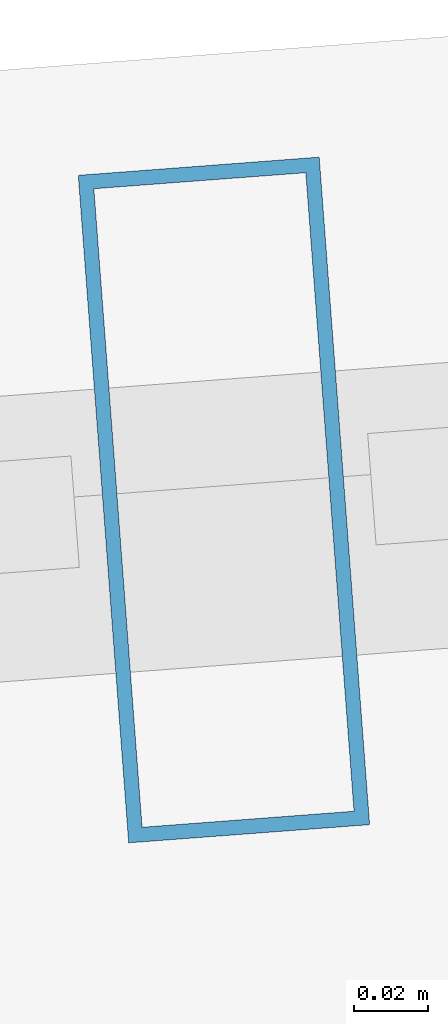
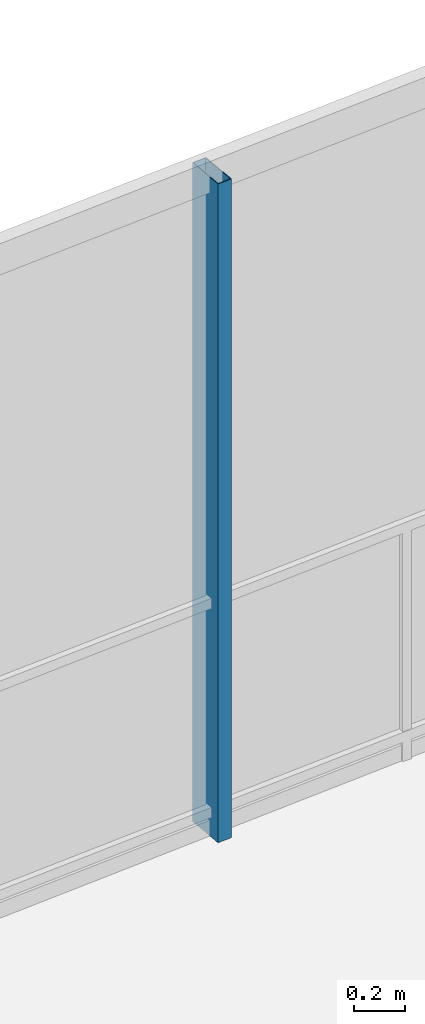
# One storey, part 21 of 30: 1 member, 1 element without a shape of its own.
"""IFC4 building model written with IfcOpenShell, lengths in metres."""

import ifcopenshell
import ifcopenshell.guid

model = None  # the IFC model being written
_history = None  # IfcOwnerHistory: only IFC2X3 demands one
_inside = {}  # id of a spatial element -> (the spatial element, [elements in it])
_under = {}  # id of a project, library or spatial element -> (it, [spatial elements below it])
_declared = {}  # id of a project -> (the project, [libraries it declares])
_typed = {}  # id of a type object -> (the type object, [elements of that type])
_made_of = {}  # id of a material, layer set ... -> (it, [elements and type objects made of it])


def new_model(schema):
    """Start an empty IFC model of exactly this schema.

    Asked for "IFC4X3", IfcOpenShell would pick the latest addendum, in which some entities
    have other attributes; the version numbers below select the first issue.
    IFC2X3 requires an IfcOwnerHistory on every rooted entity: one is made here for all.
    """
    global model, _history
    if schema == "IFC4X3":
        model = ifcopenshell.file(schema_version=(4, 3, 0, 0))
    else:
        model = ifcopenshell.file(schema=schema)
    _inside.clear()
    _under.clear()
    _declared.clear()
    _typed.clear()
    _made_of.clear()
    _history = None
    if model.schema == "IFC2X3":
        org = make("IfcOrganization", Name="unknown")
        user = make(
            "IfcPersonAndOrganization",
            ThePerson=make("IfcPerson", FamilyName="unknown"),
            TheOrganization=org,
        )
        app = make(
            "IfcApplication",
            ApplicationDeveloper=org,
            Version="unknown",
            ApplicationFullName="unknown",
            ApplicationIdentifier="unknown",
        )
        _history = make(
            "IfcOwnerHistory",
            OwningUser=user,
            OwningApplication=app,
            ChangeAction="ADDED",
            CreationDate=0,
        )
    return model


def make(cls, **values):
    """One entity of the class cls with the attributes given. An attribute that is None is left unset."""
    return model.create_entity(
        cls, **{name: value for name, value in values.items() if value is not None}
    )


def rooted(cls, **values):
    """An entity with a GlobalId (a new one), such as an element, a storey or a relation."""
    return make(cls, GlobalId=ifcopenshell.guid.new(), OwnerHistory=_history, **values)


def si_unit(unit_type, name, prefix=None):
    """IfcSIUnit, for example si_unit("LENGTHUNIT", "METRE", prefix="MILLI")."""
    return make("IfcSIUnit", UnitType=unit_type, Prefix=prefix, Name=name)


def assignment(units):
    """IfcUnitAssignment: the units of a project."""
    return None if units is None else make("IfcUnitAssignment", Units=units)


def point(xyz):
    """IfcCartesianPoint."""
    return None if xyz is None else make("IfcCartesianPoint", Coordinates=xyz)


def direction(xyz):
    """IfcDirection."""
    return None if xyz is None else make("IfcDirection", DirectionRatios=xyz)


def frame(location, z_axis=None, x_axis=None):
    """IfcAxis2Placement3D, a coordinate frame: its origin and axes. An axis left out is left unset."""
    return make(
        "IfcAxis2Placement3D",
        Location=point(location),
        Axis=direction(z_axis),
        RefDirection=direction(x_axis),
    )


def frame_2d(location, x_axis=None):
    """IfcAxis2Placement2D, a coordinate frame in the plane: its origin and x axis."""
    return make(
        "IfcAxis2Placement2D", Location=point(location), RefDirection=direction(x_axis)
    )


def origin():
    """The frame at (0, 0, 0) with its axes left unset."""
    return frame((0.0, 0.0, 0.0))


def origin_2d():
    """The frame at (0, 0) in the plane with its x axis left unset."""
    return frame_2d((0.0, 0.0))


def place(relative_to, where):
    """IfcLocalPlacement: puts the frame where relative to a parent placement (None: the world)."""
    return make(
        "IfcLocalPlacement", PlacementRelTo=relative_to, RelativePlacement=where
    )


def context(
    kind, dimensions, precision=None, world=None, true_north=None, identifier=None
):
    """IfcGeometricRepresentationContext, for example the 3D "Model" context."""
    return make(
        "IfcGeometricRepresentationContext",
        ContextIdentifier=identifier,
        ContextType=kind,
        CoordinateSpaceDimension=dimensions,
        Precision=precision,
        WorldCoordinateSystem=world,
        TrueNorth=true_north,
    )


def subcontext(parent, identifier, kind, view, scale=None):
    """IfcGeometricRepresentationSubContext, for example "Body" below "Model"."""
    return make(
        "IfcGeometricRepresentationSubContext",
        ContextIdentifier=identifier,
        ContextType=kind,
        ParentContext=parent,
        TargetScale=scale,
        TargetView=view,
    )


def project(units=None, contexts=None):
    """IfcProject with its units and contexts."""
    return rooted(
        "IfcProject",
        Name="project",
        RepresentationContexts=contexts,
        UnitsInContext=assignment(units),
    )


def spatial(cls, under=None, at=None, **own):
    """A site, building, storey or space (cls), placed at a placement, below another one or the project."""
    s = rooted(cls, ObjectPlacement=at, **own)
    if under is not None:
        _under.setdefault(under.id(), (under, []))[1].append(s)
    return s


def profile(cls, at=None, kind="AREA", **sizes):
    """A parametric profile (cls). Its sizes go by their IFC names, for example OverallWidth=200.0."""
    return make(cls, ProfileType=kind, Position=at, **sizes)


def hollow_rectangle(**sizes):
    """IfcRectangleHollowProfileDef."""
    return profile("IfcRectangleHollowProfileDef", **sizes)


def extrude(swept, where, along, depth):
    """IfcExtrudedAreaSolid: the profile swept, set in the frame where, extruded along a direction by depth."""
    return make(
        "IfcExtrudedAreaSolid",
        SweptArea=swept,
        Position=where,
        ExtrudedDirection=direction(along),
        Depth=depth,
    )


def shape(context_of_items, identifier, shape_type, items):
    """IfcShapeRepresentation: the items that make up one representation, for example the "Body"."""
    return make(
        "IfcShapeRepresentation",
        ContextOfItems=context_of_items,
        RepresentationIdentifier=identifier,
        RepresentationType=shape_type,
        Items=items,
    )


def material(Name=None, Category=None):
    """IfcMaterial."""
    return make("IfcMaterial", Name=Name, Category=Category)


def layer(
    of_material, thickness, ventilated=None, Name=None, Category=None, Priority=None
):
    """IfcMaterialLayer: one layer of a wall or slab, of a material (None: an air gap)."""
    return make(
        "IfcMaterialLayer",
        Material=of_material,
        LayerThickness=thickness,
        IsVentilated=ventilated,
        Name=Name,
        Category=Category,
        Priority=Priority,
    )


def layer_set(layers, Name=None):
    """IfcMaterialLayerSet."""
    return make("IfcMaterialLayerSet", MaterialLayers=layers, LayerSetName=Name)


def material_profile(
    of_material, cross_section, Name=None, Category=None, Priority=None
):
    """IfcMaterialProfile: a cross section and its material."""
    return make(
        "IfcMaterialProfile",
        Name=Name,
        Material=of_material,
        Profile=cross_section,
        Priority=Priority,
        Category=Category,
    )


def profile_set(profiles, Name=None, composite=None):
    """IfcMaterialProfileSet."""
    return make(
        "IfcMaterialProfileSet",
        Name=Name,
        MaterialProfiles=profiles,
        CompositeProfile=composite,
    )


def made_of(thing, what):
    """Note that an element or type object is made of a material, layer set ...; save() writes the relation."""
    if what is not None:
        _made_of.setdefault(what.id(), (what, []))[1].append(thing)
    return thing


def type_object(cls, material=None, **own):
    """A type object (cls), such as IfcWallType, which elements share."""
    return made_of(rooted(cls, **own), material)


def element(
    cls,
    number,
    at=None,
    inside=None,
    cuts=None,
    type_object=None,
    material=None,
    context=None,
    identifier="Body",
    shape_type=None,
    held_by="IfcProductDefinitionShape",
    body=None,
    shapes=None,
    **own,
):
    """One element of the class cls, such as IfcWall. Its Tag is "e" and its number.

    at: its placement. inside: the storey or other place that contains it. cuts: it is an
    opening in that element (IfcRelVoidsElement). A single representation is given by context,
    identifier, shape_type and body (its items); several are given by shapes. held_by: the class
    of the entity that holds the representations. save() writes the other relations.
    """
    e = rooted(cls, Tag="e%d" % number, ObjectPlacement=at, **own)
    if body is not None:
        shapes = [shape(context, identifier, shape_type, body)]
    if shapes is not None:
        e.Representation = make(held_by, Representations=shapes)
    if inside is not None:
        _inside.setdefault(inside.id(), (inside, []))[1].append(e)
    if cuts is not None:
        rooted(
            "IfcRelVoidsElement", RelatingBuildingElement=cuts, RelatedOpeningElement=e
        )
    if type_object is not None:
        _typed.setdefault(type_object.id(), (type_object, []))[1].append(e)
    return made_of(e, material)


def aggregate(whole, parts):
    """IfcRelAggregates: a whole, such as a stair, and the parts it consists of."""
    return rooted("IfcRelAggregates", RelatingObject=whole, RelatedObjects=parts)


def save(model, path):
    """Write the relations noted so far, then the file.

    IfcRelAggregates (storeys below a building ...), IfcRelContainedInSpatialStructure (elements
    in a storey), IfcRelDefinesByType, IfcRelAssociatesMaterial and IfcRelDeclares: one each for
    every whole, place, type object, material and project.
    """
    for whole, parts in _under.values():
        aggregate(whole, parts)
    for where, things in _inside.values():
        rooted(
            "IfcRelContainedInSpatialStructure",
            RelatedElements=things,
            RelatingStructure=where,
        )
    for kind, things in _typed.values():
        rooted("IfcRelDefinesByType", RelatedObjects=things, RelatingType=kind)
    for what, things in _made_of.values():
        rooted("IfcRelAssociatesMaterial", RelatedObjects=things, RelatingMaterial=what)
    for by, libraries in _declared.values():
        rooted("IfcRelDeclares", RelatingContext=by, RelatedDefinitions=libraries)
    model.write(path)


model = new_model("IFC4")

# Units and contexts
model_context = context("Model", 3, precision=1e-05, world=origin(), true_north=direction((0.0, 1.0)))
body_context = subcontext(model_context, "Body", "Model", "MODEL_VIEW")
ifc_project = project(units=[si_unit("LENGTHUNIT", "METRE"), si_unit("AREAUNIT", "SQUARE_METRE"), si_unit("VOLUMEUNIT", "CUBIC_METRE"), si_unit("PLANEANGLEUNIT", "RADIAN"), si_unit("MASSUNIT", "GRAM", prefix="KILO")], contexts=[model_context])

# Site, building, storey
site_placement = place(None, origin())
site = spatial("IfcSite", under=ifc_project, at=site_placement, CompositionType="ELEMENT")
building_placement = place(site_placement, origin())
building = spatial("IfcBuilding", under=site, at=building_placement, Name="Qarnah Convention Tower", CompositionType="ELEMENT")
storey_placement = place(building_placement, frame((0.0, 0.0, 83.25)))
storey = spatial("IfcBuildingStorey", under=building, at=storey_placement, Name="L21", CompositionType="ELEMENT", Elevation=83.25)

# Curtain wall, member
ifc_material_1 = material(Name="Tempered Low-E dark glass", Category="glass")
ifc_layer = layer(ifc_material_1, 0.169921875)
ifc_layer_set = layer_set([ifc_layer], Name="Tempered Low-E dark glass")
curtain_wall_type = type_object("IfcCurtainWallType", Name="CWS-02", PredefinedType="NOTDEFINED", material=ifc_layer_set)
curtain_wall_placement = place(storey_placement, origin())
curtain_wall = element("IfcCurtainWall", 1, at=curtain_wall_placement, inside=storey, type_object=curtain_wall_type, Name="L21 unitised curtain wall CW-L21-F2", PredefinedType="NOTDEFINED")
ifc_material_2 = material(Name="Black anodised aluminium", Category="aluminium")
ifc_material_profile = material_profile(ifc_material_2, hollow_rectangle(XDim=0.06494140625, YDim=0.179931640625, WallThickness=0.00390625, at=origin_2d()), Name="MUL-65X180")
ifc_profile_set = profile_set([ifc_material_profile], Name="Black anodised aluminium")
member_type = type_object("IfcMemberType", Name="MUL-T2", PredefinedType="MULLION", material=ifc_profile_set)
member_placement = place(storey_placement, frame((40.12109375, 44.43408203125, 0.0), z_axis=(0.0, 0.0, 1.0), x_axis=(0.997158879225, 0.075327083987, 0.0)))
member = element("IfcMember", 2, at=member_placement, type_object=member_type, Name="CW-L21-F2 mullion 4", PredefinedType="MULLION", context=body_context, shape_type="SweptSolid", body=[
    extrude(hollow_rectangle(XDim=0.06494140625, YDim=0.179931640625, WallThickness=0.00390625, at=origin_2d()), origin(), (0.0, 0.0, 1.0), 3.169921875),
])
aggregate(curtain_wall, [member])

save(model, "model.ifc")
